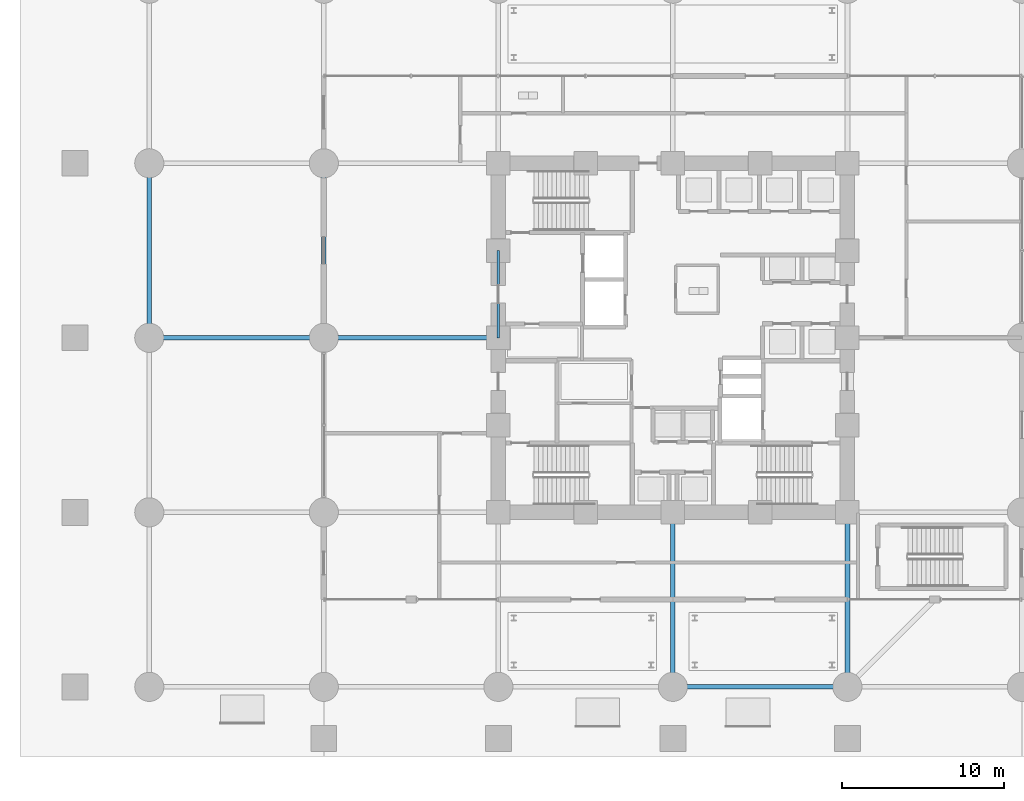
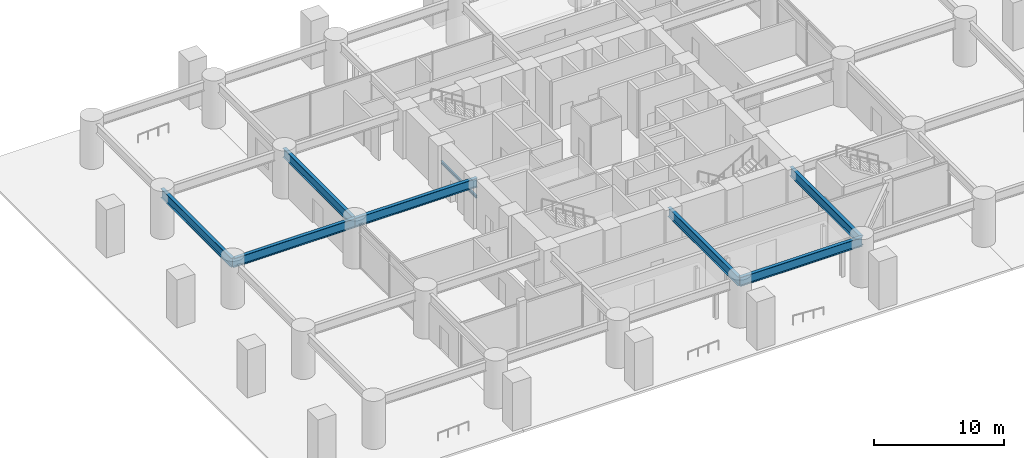
# One storey, part 9 of 29: 8 beams.
"""IFC4 building model written with IfcOpenShell, lengths in metres."""

from ifc_helpers import new_model, si_unit, direction, frame, origin, origin_2d, place, context, subcontext, project, spatial, i_section, extrude, material, material_profile, profile_set, type_object, element, save


model = new_model("IFC4")

# Units and contexts
model_context = context("Model", 3, precision=1e-05, world=origin(), true_north=direction((0.0, 1.0)))
body_context = subcontext(model_context, "Body", "Model", "MODEL_VIEW")
ifc_project = project(units=[si_unit("LENGTHUNIT", "METRE"), si_unit("AREAUNIT", "SQUARE_METRE"), si_unit("VOLUMEUNIT", "CUBIC_METRE"), si_unit("PLANEANGLEUNIT", "RADIAN"), si_unit("MASSUNIT", "GRAM", prefix="KILO")], contexts=[model_context])

# Site, building, storey
site_placement = place(None, origin())
site = spatial("IfcSite", under=ifc_project, at=site_placement, CompositionType="ELEMENT")
building_placement = place(site_placement, origin())
building = spatial("IfcBuilding", under=site, at=building_placement, Name="Surkhivell Harbour Commons", CompositionType="ELEMENT")
storey_placement = place(building_placement, origin())
storey = spatial("IfcBuildingStorey", under=building, at=storey_placement, Name="L00", CompositionType="ELEMENT", Elevation=0.0)

# Beams
ifc_material_1 = material(Name="Steel S355", Category="steel")
ifc_material_profile_1 = material_profile(ifc_material_1, i_section(OverallWidth=0.14599609375, OverallDepth=0.256103515625, WebThickness=0.00634765625, FlangeThickness=0.010986328125, at=origin_2d()), Name="UB254x146x37")
ifc_profile_set_1 = profile_set([ifc_material_profile_1], Name="Steel S355")
beam_type_1 = type_object("IfcBeamType", Name="BM-LNT-254", PredefinedType="LINTEL", material=ifc_profile_set_1)
beam_1_placement = place(storey_placement, frame((-10.800048828125, 0.0, 2.35009765625), z_axis=(0.0, 1.0, 0.0), x_axis=(-1.0, 0.0, 0.0)))
element("IfcBeam", 1, at=beam_1_placement, inside=storey, type_object=beam_type_1, Name="L00 Core Lobby Opening Lintel LB-1", PredefinedType="LINTEL", context=body_context, shape_type="SweptSolid", body=[
    extrude(i_section(OverallWidth=0.14599609375, OverallDepth=0.256103515625, WebThickness=0.00634765625, FlangeThickness=0.010986328125, at=origin_2d()), origin(), (0.0, 0.0, 1.0), 5.39990234375),
])
ifc_material_2 = material(Name="Steel S460", Category="steel")
ifc_material_profile_2 = material_profile(ifc_material_2, i_section(OverallWidth=0.2939453125, OverallDepth=0.85107421875, WebThickness=0.01611328125, FlangeThickness=0.02685546875, at=origin_2d()), Name="UB838x292x226")
ifc_profile_set_2 = profile_set([ifc_material_profile_2], Name="Steel S460")
beam_type_2 = type_object("IfcBeamType", Name="BM-SPN-838", PredefinedType="SPANDREL", material=ifc_profile_set_2)
beam_2_placement = place(storey_placement, frame((-32.39990234375, 0.0, 3.7744140625), z_axis=(0.0, 1.0, 0.0), x_axis=(-1.0, 0.0, 0.0)))
element("IfcBeam", 2, at=beam_2_placement, inside=storey, type_object=beam_type_2, Name="L00 Framing Beam (-32.4,0.0)", PredefinedType="SPANDREL", context=body_context, shape_type="SweptSolid", body=[
    extrude(i_section(OverallWidth=0.2939453125, OverallDepth=0.85107421875, WebThickness=0.01611328125, FlangeThickness=0.02685546875, at=origin_2d()), origin(), (0.0, 0.0, 1.0), 10.800048828125),
])
beam_3_placement = place(storey_placement, frame((-32.39990234375, 0.0, 3.7744140625), z_axis=(1.0, 0.0, 0.0), x_axis=(0.0, 1.0, 0.0)))
element("IfcBeam", 3, at=beam_3_placement, inside=storey, type_object=beam_type_2, Name="L00 Framing Beam (-32.4,0.0)", PredefinedType="SPANDREL", context=body_context, shape_type="SweptSolid", body=[
    extrude(i_section(OverallWidth=0.2939453125, OverallDepth=0.85107421875, WebThickness=0.01611328125, FlangeThickness=0.02685546875, at=origin_2d()), origin(), (0.0, 0.0, 1.0), 10.7998046875),
])
for number, where, z_axis, x_axis, name in (
    (4, (-21.60009765625, 0.0, 3.7744140625), (0.0, 1.0, 0.0), (-1.0, 0.0, 0.0), "L00 Framing Beam (-21.6,0.0)"),
    (5, (-21.60009765625, 0.0, 3.7744140625), (1.0, 0.0, 0.0), (0.0, 1.0, 0.0), "L00 Framing Beam (-21.6,0.0)"),
    (6, (0.0, -21.60009765625, 3.7744140625), (0.0, 1.0, 0.0), (-1.0, 0.0, 0.0), "L00 Framing Beam (0.0,-21.6)"),
    (7, (0.0, -21.60009765625, 3.7744140625), (1.0, 0.0, 0.0), (0.0, 1.0, 0.0), "L00 Framing Beam (0.0,-21.6)"),
    (8, (10.800048828125, -21.60009765625, 3.7744140625), (0.0, 1.0, 0.0), (-1.0, 0.0, 0.0), "L00 Framing Beam (10.8,-21.6)"),
):
    element("IfcBeam", number, at=place(storey_placement, frame(where, z_axis=z_axis, x_axis=x_axis)), inside=storey, type_object=beam_type_2, Name=name, PredefinedType="SPANDREL", context=body_context, shape_type="SweptSolid", body=[
        extrude(i_section(OverallWidth=0.2939453125, OverallDepth=0.85107421875, WebThickness=0.01611328125, FlangeThickness=0.02685546875, at=origin_2d()), origin(), (0.0, 0.0, 1.0), 10.800048828125),
    ])

save(model, "model.ifc")
